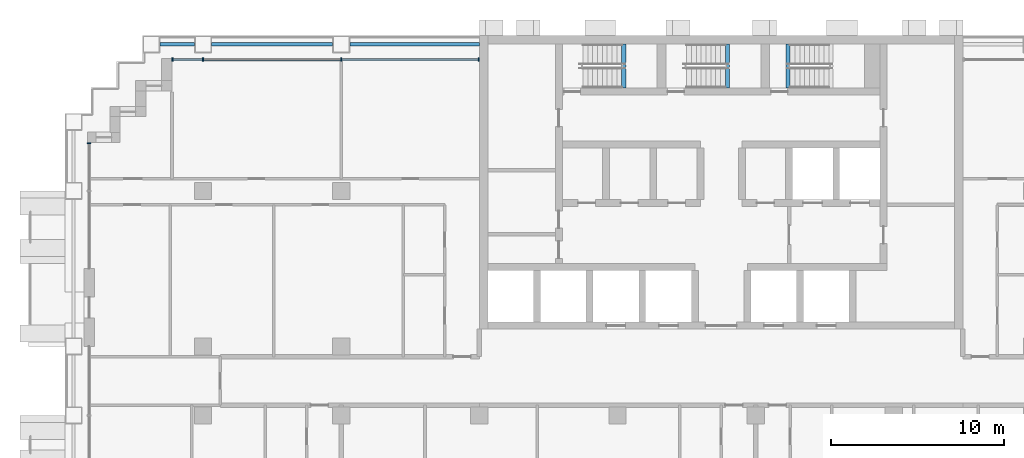
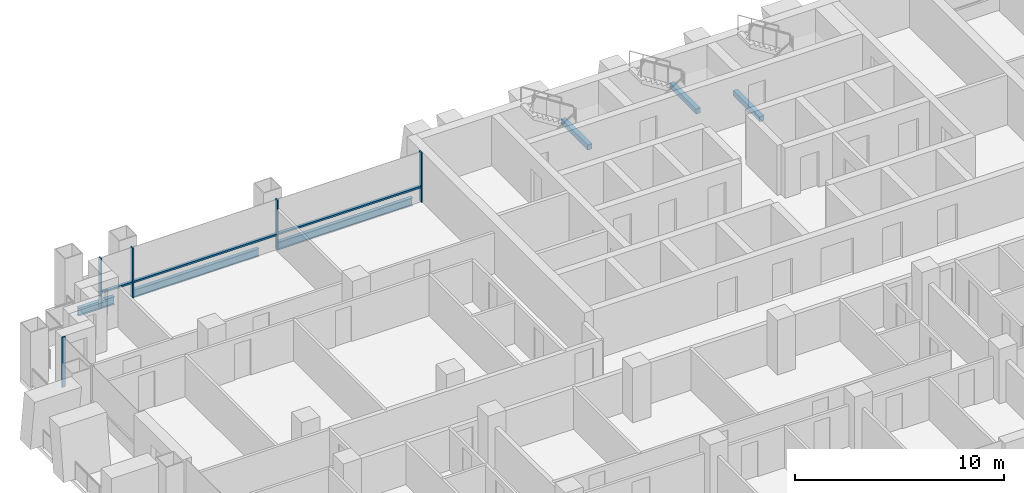
# One storey, part 4 of 18: 8 members, 6 beams, 2 elements without a shape of their own.
"""IFC4 building model written with IfcOpenShell, lengths in metres."""

from ifc_helpers import new_model, si_unit, direction, frame, origin, origin_2d, place, context, subcontext, project, spatial, rectangle, i_section, extrude, material, material_profile, profile_set, type_object, element, aggregate, save


model = new_model("IFC4")

# Units and contexts
model_context = context("Model", 3, precision=1e-05, world=origin(), true_north=direction((0.0, 1.0)))
body_context = subcontext(model_context, "Body", "Model", "MODEL_VIEW")
ifc_project = project(units=[si_unit("LENGTHUNIT", "METRE"), si_unit("AREAUNIT", "SQUARE_METRE"), si_unit("VOLUMEUNIT", "CUBIC_METRE"), si_unit("PLANEANGLEUNIT", "RADIAN"), si_unit("MASSUNIT", "GRAM", prefix="KILO")], contexts=[model_context])

# Site, building, storey
site_placement = place(None, origin())
site = spatial("IfcSite", under=ifc_project, at=site_placement, CompositionType="ELEMENT")
building_placement = place(site_placement, origin())
building = spatial("IfcBuilding", under=site, at=building_placement, Name="Vidyagriha Tower", CompositionType="ELEMENT")
storey_placement = place(building_placement, frame((0.0, 0.0, 41.60009765625)))
storey = spatial("IfcBuildingStorey", under=building, at=storey_placement, Name="L10", CompositionType="ELEMENT", Elevation=41.60009765625)

# Beams
ifc_material_1 = material(Name="Steel ASTM A992 Grade 50", Category="steel")
ifc_material_profile_1 = material_profile(ifc_material_1, i_section(OverallWidth=0.19189453125, OverallDepth=0.46240234375, WebThickness=0.010498046875, FlangeThickness=0.017578125, at=origin_2d()), Name="W18X60")
ifc_profile_set_1 = profile_set([ifc_material_profile_1], Name="Steel ASTM A992 Grade 50")
beam_type_1 = type_object("IfcBeamType", Name="Edge beam W18X60", PredefinedType="SPANDREL", material=ifc_profile_set_1)
beam_1_placement = place(storey_placement, frame((-32.5, 19.5, -0.51123046875), z_axis=(1.0, 0.0, 0.0), x_axis=(0.0, 1.0, 0.0)))
element("IfcBeam", 1, at=beam_1_placement, inside=storey, type_object=beam_type_1, Name="st-beam-L10-NW20", PredefinedType="SPANDREL", context=body_context, shape_type="SweptSolid", body=[
    extrude(i_section(OverallWidth=0.19189453125, OverallDepth=0.46240234375, WebThickness=0.010498046875, FlangeThickness=0.017578125, at=origin_2d()), origin(), (0.0, 0.0, 1.0), 2.0),
])
beam_2_placement = place(storey_placement, frame((-29.5, 19.5, -0.51123046875), z_axis=(1.0, 0.0, 0.0), x_axis=(0.0, 1.0, 0.0)))
element("IfcBeam", 2, at=beam_2_placement, inside=storey, type_object=beam_type_1, Name="st-beam-L10-NW21", PredefinedType="SPANDREL", context=body_context, shape_type="SweptSolid", body=[
    extrude(i_section(OverallWidth=0.19189453125, OverallDepth=0.46240234375, WebThickness=0.010498046875, FlangeThickness=0.017578125, at=origin_2d()), origin(), (0.0, 0.0, 1.0), 7.0),
])
beam_3_placement = place(storey_placement, frame((-21.5, 19.5, -0.51123046875), z_axis=(1.0, 0.0, 0.0), x_axis=(0.0, 1.0, 0.0)))
element("IfcBeam", 3, at=beam_3_placement, inside=storey, type_object=beam_type_1, Name="st-beam-L10-NC24", PredefinedType="SPANDREL", context=body_context, shape_type="SweptSolid", body=[
    extrude(i_section(OverallWidth=0.19189453125, OverallDepth=0.46240234375, WebThickness=0.010498046875, FlangeThickness=0.017578125, at=origin_2d()), origin(), (0.0, 0.0, 1.0), 7.5),
])

# Curtain wall, members
ifc_material_2 = material(Name="Aluminium and glass curtain wall", Category="aluminium")
curtain_wall_type = type_object("IfcCurtainWallType", Name="Dwelling skin unitised curtain wall", PredefinedType="USERDEFINED", material=ifc_material_2)
curtain_wall_1_placement = place(storey_placement, origin())
curtain_wall_1 = element("IfcCurtainWall", 4, at=curtain_wall_1_placement, inside=storey, type_object=curtain_wall_type, Name="CW1 dwelling skin", ObjectType="UNITISED", PredefinedType="USERDEFINED")
ifc_material_3 = material(Name="Aluminium black anodised", Category="aluminium")
ifc_material_profile_2 = material_profile(ifc_material_3, rectangle(XDim=0.199951171875, YDim=0.070068359375, at=origin_2d()), Name="Mullion 70x200 black aluminium")
ifc_profile_set_2 = profile_set([ifc_material_profile_2], Name="Aluminium black anodised")
member_type_1 = type_object("IfcMemberType", Name="Mullion 70x200 black aluminium", PredefinedType="MULLION", material=ifc_profile_set_2)
member_1_placement = place(storey_placement, frame((-14.034912109375, 18.60009765625, 0.0), z_axis=(0.0, 0.0, 1.0), x_axis=(0.0, -1.0, 0.0)))
member_1 = element("IfcMember", 5, at=member_1_placement, type_object=member_type_1, Name="CW1 mullion 1", PredefinedType="MULLION", context=body_context, shape_type="SweptSolid", body=[
    extrude(rectangle(XDim=0.199951171875, YDim=0.070068359375, at=origin_2d()), origin(), (0.0, 0.0, 1.0), 2.919921875),
])
member_2_placement = place(storey_placement, frame((-22.0, 18.60009765625, 0.0), z_axis=(0.0, 0.0, 1.0), x_axis=(0.0, -1.0, 0.0)))
member_2 = element("IfcMember", 6, at=member_2_placement, type_object=member_type_1, Name="CW1 mullion 2", PredefinedType="MULLION", context=body_context, shape_type="SweptSolid", body=[
    extrude(rectangle(XDim=0.199951171875, YDim=0.070068359375, at=origin_2d()), origin(), (0.0, 0.0, 1.0), 2.919921875),
])
member_3_placement = place(storey_placement, frame((-30.0, 18.60009765625, 0.0), z_axis=(0.0, 0.0, 1.0), x_axis=(0.0, -1.0, 0.0)))
member_3 = element("IfcMember", 7, at=member_3_placement, type_object=member_type_1, Name="CW1 mullion 3", PredefinedType="MULLION", context=body_context, shape_type="SweptSolid", body=[
    extrude(rectangle(XDim=0.199951171875, YDim=0.070068359375, at=origin_2d()), origin(), (0.0, 0.0, 1.0), 2.919921875),
])
member_4_placement = place(storey_placement, frame((-31.764892578125, 18.60009765625, 0.0), z_axis=(0.0, 0.0, 1.0), x_axis=(0.0, -1.0, 0.0)))
member_4 = element("IfcMember", 8, at=member_4_placement, type_object=member_type_1, Name="CW1 mullion 4", PredefinedType="MULLION", context=body_context, shape_type="SweptSolid", body=[
    extrude(rectangle(XDim=0.199951171875, YDim=0.070068359375, at=origin_2d()), origin(), (0.0, 0.0, 1.0), 2.919921875),
])

# Curtain wall, member
curtain_wall_2_placement = place(storey_placement, origin())
curtain_wall_2 = element("IfcCurtainWall", 9, at=curtain_wall_2_placement, inside=storey, type_object=curtain_wall_type, Name="CW1 dwelling skin", ObjectType="UNITISED", PredefinedType="USERDEFINED")
member_5_placement = place(storey_placement, frame((-36.60009765625, 13.764892578125, 0.0)))
member_5 = element("IfcMember", 10, at=member_5_placement, type_object=member_type_1, Name="CW1 mullion 1", PredefinedType="MULLION", context=body_context, shape_type="SweptSolid", body=[
    extrude(rectangle(XDim=0.199951171875, YDim=0.070068359375, at=origin_2d()), origin(), (0.0, 0.0, 1.0), 2.919921875),
])
aggregate(curtain_wall_2, [member_5])

# Beams
ifc_material_4 = material(Name="Concrete C40/50", Category="concrete")
ifc_material_profile_3 = material_profile(ifc_material_4, rectangle(XDim=0.25, YDim=0.300048828125, at=origin_2d()), Name="Stair landing bearing beam 250x300")
ifc_profile_set_3 = profile_set([ifc_material_profile_3], Name="Concrete C40/50")
beam_type_2 = type_object("IfcBeamType", Name="Stair landing bearing beam 250x300", PredefinedType="BEAM", material=ifc_profile_set_3)
for number, where, z_axis, x_axis, name in (
    (11, (3.875, 16.949951171875, -0.43017578125), (0.0, 1.0, 0.0), (-1.0, 0.0, 0.0), "ST3 floor landing bearing beam L10"),
    (12, (-5.635009765625, 16.949951171875, 1.25), (0.0, 1.0, 0.0), (-1.0, 0.0, 0.0), "ST1 landing bearing beam L10"),
    (13, (0.364990234375, 16.949951171875, 1.25), (0.0, 1.0, 0.0), (-1.0, 0.0, 0.0), "ST2 landing bearing beam L10"),
):
    element("IfcBeam", number, at=place(storey_placement, frame(where, z_axis=z_axis, x_axis=x_axis)), inside=storey, type_object=beam_type_2, Name=name, PredefinedType="BEAM", context=body_context, shape_type="SweptSolid", body=[
        extrude(rectangle(XDim=0.25, YDim=0.300048828125, at=origin_2d()), origin(), (0.0, 0.0, 1.0), 2.550048828125),
    ])

# Member
ifc_material_5 = material(Name="Aluminium black anodised", Category="aluminium")
ifc_material_profile_4 = material_profile(ifc_material_5, rectangle(XDim=0.159912109375, YDim=0.10009765625, at=origin_2d()), Name="Transom 100x160 black aluminium")
ifc_profile_set_4 = profile_set([ifc_material_profile_4], Name="Aluminium black anodised")
member_type_2 = type_object("IfcMemberType", Name="Transom 100x160 black aluminium", PredefinedType="USERDEFINED", material=ifc_profile_set_4)
member_6_placement = place(storey_placement, frame((-14.070068359375, 18.60009765625, 0.89990234375), z_axis=(-1.0, 0.0, 0.0), x_axis=(0.0, -1.0, 0.0)))
member_6 = element("IfcMember", 14, at=member_6_placement, type_object=member_type_2, Name="CW1 transom 1.1", ObjectType="TRANSOM", PredefinedType="USERDEFINED", context=body_context, shape_type="SweptSolid", body=[
    extrude(rectangle(XDim=0.159912109375, YDim=0.10009765625, at=origin_2d()), origin(), (0.0, 0.0, 1.0), 7.89501953125),
])

member_7_placement = place(storey_placement, frame((-22.034912109375, 18.60009765625, 0.89990234375), z_axis=(-1.0, 0.0, 0.0), x_axis=(0.0, -1.0, 0.0)))
member_7 = element("IfcMember", 15, at=member_7_placement, type_object=member_type_2, Name="CW1 transom 2.1", ObjectType="TRANSOM", PredefinedType="USERDEFINED", context=body_context, shape_type="SweptSolid", body=[
    extrude(rectangle(XDim=0.159912109375, YDim=0.10009765625, at=origin_2d()), origin(), (0.0, 0.0, 1.0), 7.93017578125),
])

member_8_placement = place(storey_placement, frame((-30.034912109375, 18.60009765625, 0.89990234375), z_axis=(-1.0, 0.0, 0.0), x_axis=(0.0, -1.0, 0.0)))
member_8 = element("IfcMember", 16, at=member_8_placement, type_object=member_type_2, Name="CW1 transom 3.1", ObjectType="TRANSOM", PredefinedType="USERDEFINED", context=body_context, shape_type="SweptSolid", body=[
    extrude(rectangle(XDim=0.159912109375, YDim=0.10009765625, at=origin_2d()), origin(), (0.0, 0.0, 1.0), 1.695068359375),
])

aggregate(curtain_wall_1, [member_1, member_2, member_3, member_4, member_6, member_7, member_8])

save(model, "model.ifc")
